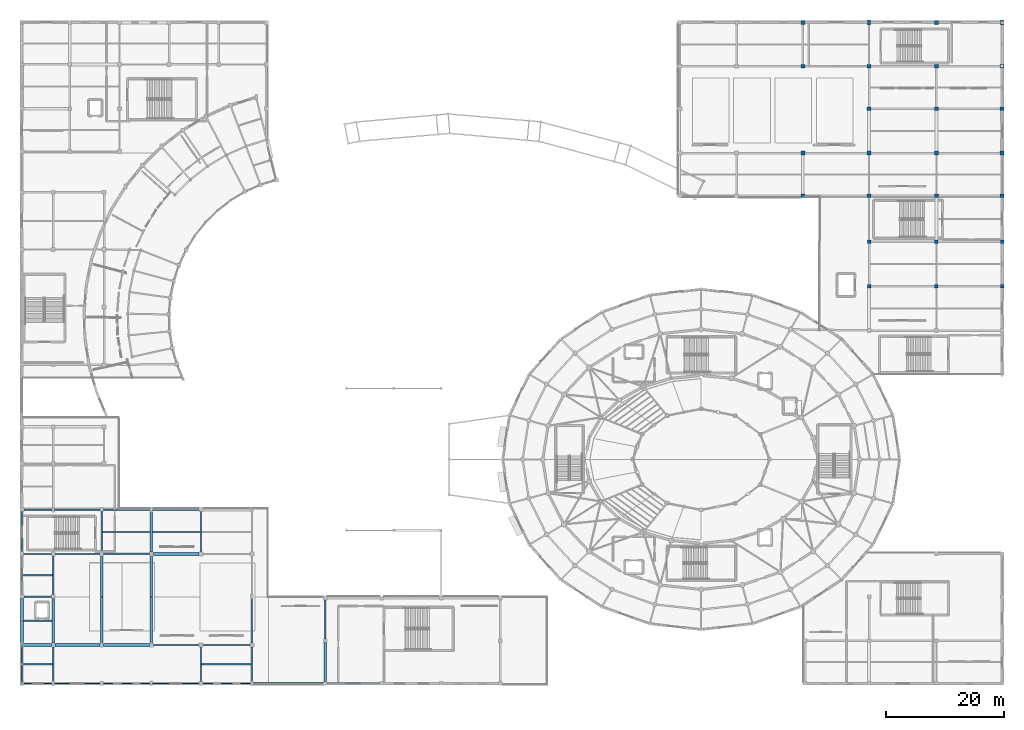
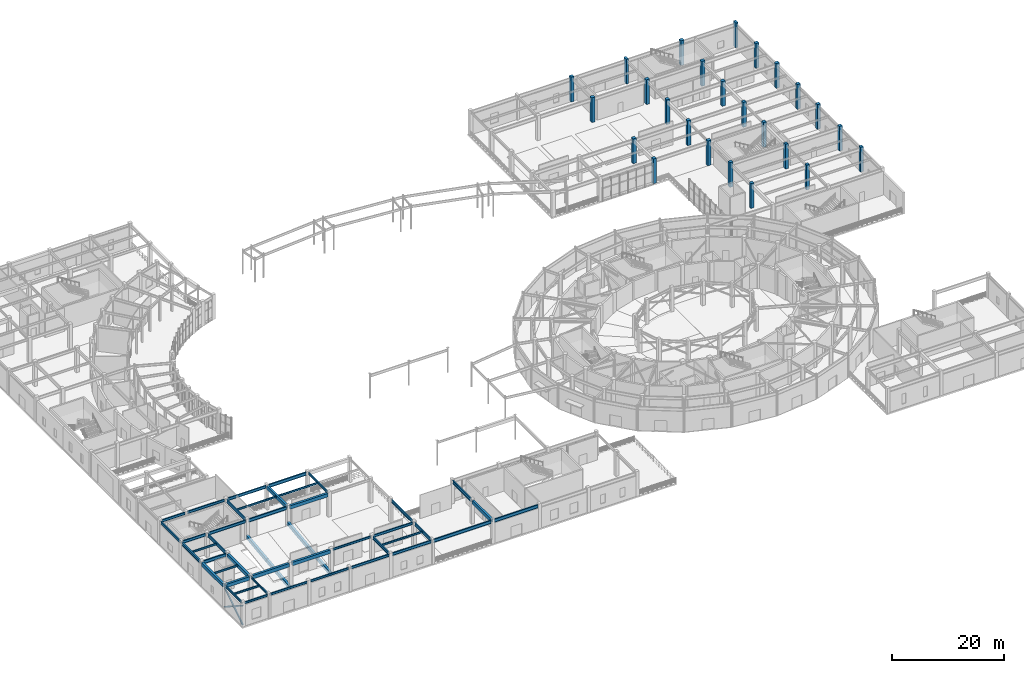
# One storey, part 18 of 93: 46 beams, 25 columns, 3 members.
"""IFC4 building model written with IfcOpenShell, lengths in metres."""

from ifc_helpers import new_model, si_unit, direction, frame, origin, origin_2d, place, context, subcontext, project, spatial, rectangle, hollow_rectangle, i_section, extrude, material, material_profile, profile_set, type_object, element, save


model = new_model("IFC4")

# Units and contexts
model_context = context("Model", 3, precision=1e-05, world=origin(), true_north=direction((0.0, 1.0)))
body_context = subcontext(model_context, "Body", "Model", "MODEL_VIEW")
ifc_project = project(units=[si_unit("LENGTHUNIT", "METRE"), si_unit("AREAUNIT", "SQUARE_METRE"), si_unit("VOLUMEUNIT", "CUBIC_METRE"), si_unit("PLANEANGLEUNIT", "RADIAN"), si_unit("MASSUNIT", "GRAM", prefix="KILO")], contexts=[model_context])

# Site, building, storey
site_placement = place(None, origin())
site = spatial("IfcSite", under=ifc_project, at=site_placement, CompositionType="ELEMENT")
building_placement = place(site_placement, origin())
building = spatial("IfcBuilding", under=site, at=building_placement, Name="Cinderbank Siding Concert Hall", CompositionType="ELEMENT")
storey_placement = place(building_placement, origin())
storey = spatial("IfcBuildingStorey", under=building, at=storey_placement, Name="L01", CompositionType="ELEMENT", Elevation=0.0)

# Columns
ifc_material_1 = material(Name="Reinforced concrete AS 3600 N50 (50 MPa)", Category="concrete")
ifc_material_profile_1 = material_profile(ifc_material_1, rectangle(XDim=0.60009765625, YDim=0.60009765625, at=origin_2d()), Name="RC-COL-600x600", Category="LoadBearing")
ifc_profile_set_1 = profile_set([ifc_material_profile_1], Name="Reinforced concrete AS 3600 N50 (50 MPa)")
column_type_1 = type_object("IfcColumnType", Name="C-RC600 RC-COL-600x600", PredefinedType="COLUMN", material=ifc_profile_set_1)
for number, where, z_axis, x_axis, name in (
    (1, (150.39990234375, 73.300048828125, 0.0), (0.0, 0.0, 1.0), (1.0, 0.0, 0.0), "L01 Column COL-EL-1-2"),
    (2, (150.39990234375, 80.800048828125, 0.0), (0.0, 0.0, 1.0), (1.0, 0.0, 0.0), "L01 Column COL-EL-1-3"),
    (3, (161.800048828125, 73.300048828125, 0.0), (0.0, 0.0, 1.0), (1.0, 0.0, 0.0), "L01 Column COL-EL-2-2"),
    (4, (161.800048828125, 80.800048828125, 0.0), (0.0, 0.0, 1.0), (1.0, 0.0, 0.0), "L01 Column COL-EL-2-3"),
    (5, (172.89990234375, 73.300048828125, 0.0), (0.0, 0.0, 1.0), (1.0, 0.0, 0.0), "L01 Column COL-EL-3-2"),
    (6, (172.89990234375, 80.800048828125, 0.0), (0.0, 0.0, 1.0), (1.0, 0.0, 0.0), "L01 Column COL-EL-3-3"),
):
    element("IfcColumn", number, at=place(storey_placement, frame(where, z_axis=z_axis, x_axis=x_axis)), inside=storey, type_object=column_type_1, Name=name, PredefinedType="COLUMN", context=body_context, shape_type="SweptSolid", body=[
        extrude(rectangle(XDim=0.60009765625, YDim=0.60009765625, at=origin_2d()), origin(), (0.0, 0.0, 1.0), 5.39990234375),
    ])
ifc_material_profile_2 = material_profile(ifc_material_1, rectangle(XDim=0.64990234375, YDim=0.64990234375, at=origin_2d()), Name="RC-COL-650x650", Category="LoadBearing")
ifc_profile_set_2 = profile_set([ifc_material_profile_2], Name="Reinforced concrete AS 3600 N50 (50 MPa)")
column_type_2 = type_object("IfcColumnType", Name="C-RC650 RC-COL-650x650", PredefinedType="COLUMN", material=ifc_profile_set_2)
for number, where, z_axis, x_axis, name in (
    (7, (139.199951171875, 88.60009765625, 0.0), (0.0, 0.0, 1.0), (1.0, 0.0, 0.0), "L01 Column COL-V3-3-1"),
    (8, (139.199951171875, 95.800048828125, 0.0), (0.0, 0.0, 1.0), (1.0, 0.0, 0.0), "L01 Column COL-V3-3-2"),
    (9, (139.199951171875, 110.5, 0.0), (0.0, 0.0, 1.0), (1.0, 0.0, 0.0), "L01 Column COL-V3-3-4"),
    (10, (139.199951171875, 117.89990234375, 0.0), (0.0, 0.0, 1.0), (1.0, 0.0, 0.0), "L01 Column COL-V3-3-5"),
    (11, (150.39990234375, 88.60009765625, 0.0), (0.0, 0.0, 1.0), (1.0, 0.0, 0.0), "L01 Column COL-V3-4-1"),
    (12, (150.39990234375, 95.800048828125, 0.0), (0.0, 0.0, 1.0), (1.0, 0.0, 0.0), "L01 Column COL-V3-4-2"),
    (13, (150.39990234375, 103.300048828125, 0.0), (0.0, 0.0, 1.0), (1.0, 0.0, 0.0), "L01 Column COL-V3-4-3"),
    (14, (150.39990234375, 110.5, 0.0), (0.0, 0.0, 1.0), (1.0, 0.0, 0.0), "L01 Column COL-V3-4-4"),
    (15, (161.800048828125, 88.60009765625, 0.0), (0.0, 0.0, 1.0), (1.0, 0.0, 0.0), "L01 Column COL-V3-5-1"),
    (16, (161.800048828125, 95.800048828125, 0.0), (0.0, 0.0, 1.0), (1.0, 0.0, 0.0), "L01 Column COL-V3-5-2"),
    (17, (161.800048828125, 103.300048828125, 0.0), (0.0, 0.0, 1.0), (1.0, 0.0, 0.0), "L01 Column COL-V3-5-3"),
    (18, (161.800048828125, 110.5, 0.0), (0.0, 0.0, 1.0), (1.0, 0.0, 0.0), "L01 Column COL-V3-5-4"),
    (19, (161.800048828125, 117.89990234375, 0.0), (0.0, 0.0, 1.0), (1.0, 0.0, 0.0), "L01 Column COL-V3-5-5"),
    (20, (172.89990234375, 88.60009765625, 0.0), (0.0, 0.0, 1.0), (1.0, 0.0, 0.0), "L01 Column COL-V3-6-1"),
    (21, (172.89990234375, 95.800048828125, 0.0), (0.0, 0.0, 1.0), (1.0, 0.0, 0.0), "L01 Column COL-V3-6-2"),
    (22, (172.89990234375, 103.300048828125, 0.0), (0.0, 0.0, 1.0), (1.0, 0.0, 0.0), "L01 Column COL-V3-6-3"),
    (23, (172.89990234375, 110.5, 0.0), (0.0, 0.0, 1.0), (1.0, 0.0, 0.0), "L01 Column COL-V3-6-4"),
):
    element("IfcColumn", number, at=place(storey_placement, frame(where, z_axis=z_axis, x_axis=x_axis)), inside=storey, type_object=column_type_2, Name=name, PredefinedType="COLUMN", context=body_context, shape_type="SweptSolid", body=[
        extrude(rectangle(XDim=0.64990234375, YDim=0.64990234375, at=origin_2d()), origin(), (0.0, 0.0, 1.0), 5.39990234375),
    ])
ifc_material_profile_3 = material_profile(ifc_material_1, rectangle(XDim=0.449951171875, YDim=0.85009765625, at=origin_2d()), Name="RC-PIER-450x850", Category="LoadBearing")
ifc_profile_set_3 = profile_set([ifc_material_profile_3], Name="Reinforced concrete AS 3600 N50 (50 MPa)")
column_type_3 = type_object("IfcColumnType", Name="PL-RC850 RC-PIER-450x850", PredefinedType="PILASTER", material=ifc_profile_set_3)
for number, where, z_axis, x_axis, name in (
    (24, (150.39990234375, 117.89990234375, 0.0), (0.0, 0.0, 1.0), (1.0, 0.0, 0.0), "L01 Column COL-V3-4-5"),
    (25, (172.89990234375, 117.89990234375, 0.0), (0.0, 0.0, 1.0), (1.0, 0.0, 0.0), "L01 Column COL-V3-6-5"),
):
    element("IfcColumn", number, at=place(storey_placement, frame(where, z_axis=z_axis, x_axis=x_axis)), inside=storey, type_object=column_type_3, Name=name, PredefinedType="PILASTER", context=body_context, shape_type="SweptSolid", body=[
        extrude(rectangle(XDim=0.449951171875, YDim=0.85009765625, at=origin_2d()), origin(), (0.0, 0.0, 1.0), 5.39990234375),
    ])

# Beams
ifc_material_profile_4 = material_profile(ifc_material_1, rectangle(XDim=0.449951171875, YDim=0.75, at=origin_2d()), Name="RC-BM-450x750", Category="LoadBearing")
ifc_profile_set_4 = profile_set([ifc_material_profile_4], Name="Reinforced concrete AS 3600 N50 (50 MPa)")
beam_type_1 = type_object("IfcBeamType", Name="BM-RC750 RC-BM-450x750", PredefinedType="BEAM", material=ifc_profile_set_4)
beam_1_placement = place(storey_placement, frame((20.60009765625, 12.60009765625, -0.39501953125), z_axis=(0.0, 0.99293421696, 0.118666089466), x_axis=(-1.0, 0.0, 0.0)))
element("IfcBeam", 26, at=beam_1_placement, inside=storey, type_object=beam_type_1, Name="L01 Beam BM-RC750 #1", PredefinedType="BEAM", context=body_context, shape_type="SweptSolid", body=[
    extrude(rectangle(XDim=0.449951171875, YDim=0.75, at=origin_2d()), origin(), (0.0, 0.0, 1.0), 8.25830078125),
])
beam_2_placement = place(storey_placement, frame((20.60009765625, 20.800048828125, 0.5849609375), z_axis=(0.0, 0.992940106546, 0.118616798188), x_axis=(-1.0, 0.0, 0.0)))
element("IfcBeam", 27, at=beam_2_placement, inside=storey, type_object=beam_type_1, Name="L01 Beam BM-RC750 #2", PredefinedType="BEAM", context=body_context, shape_type="SweptSolid", body=[
    extrude(rectangle(XDim=0.449951171875, YDim=0.75, at=origin_2d()), origin(), (0.0, 0.0, 1.0), 7.251220703125),
])
beam_3_placement = place(storey_placement, frame((29.0, 12.60009765625, -0.39501953125), z_axis=(0.0, 0.99293421696, 0.118666089466), x_axis=(-1.0, 0.0, 0.0)))
element("IfcBeam", 28, at=beam_3_placement, inside=storey, type_object=beam_type_1, Name="L01 Beam BM-RC750 #4", PredefinedType="BEAM", context=body_context, shape_type="SweptSolid", body=[
    extrude(rectangle(XDim=0.449951171875, YDim=0.75, at=origin_2d()), origin(), (0.0, 0.0, 1.0), 8.25830078125),
])
beam_4_placement = place(storey_placement, frame((29.0, 20.800048828125, 0.5849609375), z_axis=(0.0, 0.992940106546, 0.118616798188), x_axis=(-1.0, 0.0, 0.0)))
element("IfcBeam", 29, at=beam_4_placement, inside=storey, type_object=beam_type_1, Name="L01 Beam BM-RC750 #5", PredefinedType="BEAM", context=body_context, shape_type="SweptSolid", body=[
    extrude(rectangle(XDim=0.449951171875, YDim=0.75, at=origin_2d()), origin(), (0.0, 0.0, 1.0), 7.251220703125),
])
beam_5_placement = place(storey_placement, frame((7.31689453125, 12.60009765625, 4.7470703125), z_axis=(1.0, 0.0, 0.0), x_axis=(0.0, 1.0, 0.0)))
element("IfcBeam", 30, at=beam_5_placement, inside=storey, type_object=beam_type_1, Name="L01 Beam BM-RC750 #1277", PredefinedType="BEAM", context=body_context, shape_type="SweptSolid", body=[
    extrude(rectangle(XDim=0.449951171875, YDim=0.75, at=origin_2d()), origin(), (0.0, 0.0, 1.0), 4.76611328125),
])
beam_6_placement = place(storey_placement, frame((7.10009765625, 12.81689453125, 4.7470703125), z_axis=(0.0, 1.0, 0.0), x_axis=(-1.0, 0.0, 0.0)))
element("IfcBeam", 31, at=beam_6_placement, inside=storey, type_object=beam_type_1, Name="L01 Beam BM-RC750 #1278", PredefinedType="BEAM", context=body_context, shape_type="SweptSolid", body=[
    extrude(rectangle(XDim=0.449951171875, YDim=0.75, at=origin_2d()), origin(), (0.0, 0.0, 1.0), 7.666015625),
])
for number, where, z_axis, x_axis, name in (
    (32, (12.717041015625, 12.60009765625, 4.7470703125), (1.0, 0.0, 0.0), (0.0, 1.0, 0.0), "L01 Beam BM-RC750 #1287"),
    (33, (12.39990234375, 12.9169921875, 4.7470703125), (0.0, 1.0, 0.0), (-1.0, 0.0, 0.0), "L01 Beam BM-RC750 #1288"),
):
    element("IfcBeam", number, at=place(storey_placement, frame(where, z_axis=z_axis, x_axis=x_axis)), inside=storey, type_object=beam_type_1, Name=name, PredefinedType="BEAM", context=body_context, shape_type="SweptSolid", body=[
        extrude(rectangle(XDim=0.449951171875, YDim=0.75, at=origin_2d()), origin(), (0.0, 0.0, 1.0), 7.56591796875),
    ])
for number, where, z_axis, x_axis, name in (
    (34, (20.9169921875, 12.60009765625, 4.7470703125), (1.0, 0.0, 0.0), (0.0, 1.0, 0.0), "L01 Beam BM-RC750 #1294"),
    (35, (29.31689453125, 28.0, 4.7470703125), (1.0, 0.0, 0.0), (0.0, 1.0, 0.0), "L01 Beam BM-RC750 #1300"),
):
    element("IfcBeam", number, at=place(storey_placement, frame(where, z_axis=z_axis, x_axis=x_axis)), inside=storey, type_object=beam_type_1, Name=name, PredefinedType="BEAM", context=body_context, shape_type="SweptSolid", body=[
        extrude(rectangle(XDim=0.449951171875, YDim=0.75, at=origin_2d()), origin(), (0.0, 0.0, 1.0), 7.76611328125),
    ])
beam_7_placement = place(storey_placement, frame((29.0, 28.31689453125, 4.7470703125), z_axis=(0.0, 1.0, 0.0), x_axis=(-1.0, 0.0, 0.0)))
element("IfcBeam", 36, at=beam_7_placement, inside=storey, type_object=beam_type_1, Name="L01 Beam BM-RC750 #1301", PredefinedType="BEAM", context=body_context, shape_type="SweptSolid", body=[
    extrude(rectangle(XDim=0.449951171875, YDim=0.75, at=origin_2d()), origin(), (0.0, 0.0, 1.0), 6.966064453125),
])
beam_8_placement = place(storey_placement, frame((58.39990234375, 6.39208984375, 4.76708984375), z_axis=(0.0, 1.0, 0.0), x_axis=(-1.0, 0.0, 0.0)))
element("IfcBeam", 37, at=beam_8_placement, inside=storey, type_object=beam_type_1, Name="L01 Beam BM-RC750 #1396", PredefinedType="BEAM", context=body_context, shape_type="SweptSolid", body=[
    extrude(rectangle(XDim=0.449951171875, YDim=0.75, at=origin_2d()), origin(), (0.0, 0.0, 1.0), 6.615966796875),
])
ifc_material_2 = material(Name="Structural steel AS/NZS 3679.1 Grade 350 (340 MPa)", Category="steel")
ifc_material_profile_5 = material_profile(ifc_material_2, i_section(OverallWidth=0.18994140625, OverallDepth=0.45751953125, WebThickness=0.009033203125, FlangeThickness=0.014404296875, at=origin_2d()), Name="460UB74.6", Category="LoadBearing")
ifc_profile_set_5 = profile_set([ifc_material_profile_5], Name="Structural steel AS/NZS 3679.1 Grade 350 (340 MPa)")
beam_type_2 = type_object("IfcBeamType", Name="BM-UB460 460UB74.6", PredefinedType="BEAM", material=ifc_profile_set_5)
beam_9_placement = place(storey_placement, frame((7.4169921875, 6.10009765625, 4.893310546875), z_axis=(1.0, 0.0, 0.0), x_axis=(0.0, 1.0, 0.0)))
element("IfcBeam", 38, at=beam_9_placement, inside=storey, type_object=beam_type_2, Name="L01 Beam BM-UB460 #1275", PredefinedType="BEAM", context=body_context, shape_type="SweptSolid", body=[
    extrude(i_section(OverallWidth=0.18994140625, OverallDepth=0.45751953125, WebThickness=0.009033203125, FlangeThickness=0.014404296875, at=origin_2d()), origin(), (0.0, 0.0, 1.0), 4.76611328125),
])
beam_10_placement = place(storey_placement, frame((7.10009765625, 6.4169921875, 4.893310546875), z_axis=(0.0, 1.0, 0.0), x_axis=(-1.0, 0.0, 0.0)))
element("IfcBeam", 39, at=beam_10_placement, inside=storey, type_object=beam_type_2, Name="L01 Beam BM-UB460 #1276", PredefinedType="BEAM", context=body_context, shape_type="SweptSolid", body=[
    extrude(i_section(OverallWidth=0.18994140625, OverallDepth=0.45751953125, WebThickness=0.009033203125, FlangeThickness=0.014404296875, at=origin_2d()), origin(), (0.0, 0.0, 1.0), 5.966064453125),
])
beam_11_placement = place(storey_placement, frame((12.616943359375, 6.10009765625, 4.893310546875), z_axis=(1.0, 0.0, 0.0), x_axis=(0.0, 1.0, 0.0)))
element("IfcBeam", 40, at=beam_11_placement, inside=storey, type_object=beam_type_2, Name="L01 Beam BM-UB460 #1285", PredefinedType="BEAM", context=body_context, shape_type="SweptSolid", body=[
    extrude(i_section(OverallWidth=0.18994140625, OverallDepth=0.45751953125, WebThickness=0.009033203125, FlangeThickness=0.014404296875, at=origin_2d()), origin(), (0.0, 0.0, 1.0), 7.666015625),
])
beam_12_placement = place(storey_placement, frame((12.39990234375, 6.31689453125, 4.893310546875), z_axis=(0.0, 1.0, 0.0), x_axis=(-1.0, 0.0, 0.0)))
element("IfcBeam", 41, at=beam_12_placement, inside=storey, type_object=beam_type_2, Name="L01 Beam BM-UB460 #1286", PredefinedType="BEAM", context=body_context, shape_type="SweptSolid", body=[
    extrude(i_section(OverallWidth=0.18994140625, OverallDepth=0.45751953125, WebThickness=0.009033203125, FlangeThickness=0.014404296875, at=origin_2d()), origin(), (0.0, 0.0, 1.0), 5.966064453125),
])
beam_13_placement = place(storey_placement, frame((20.9169921875, 6.10009765625, 4.893310546875), z_axis=(1.0, 0.0, 0.0), x_axis=(0.0, 1.0, 0.0)))
element("IfcBeam", 42, at=beam_13_placement, inside=storey, type_object=beam_type_2, Name="L01 Beam BM-UB460 #1293", PredefinedType="BEAM", context=body_context, shape_type="SweptSolid", body=[
    extrude(i_section(OverallWidth=0.18994140625, OverallDepth=0.45751953125, WebThickness=0.009033203125, FlangeThickness=0.014404296875, at=origin_2d()), origin(), (0.0, 0.0, 1.0), 7.865966796875),
])
beam_14_placement = place(storey_placement, frame((29.31689453125, 12.60009765625, 4.893310546875), z_axis=(1.0, 0.0, 0.0), x_axis=(0.0, 1.0, 0.0)))
element("IfcBeam", 43, at=beam_14_placement, inside=storey, type_object=beam_type_2, Name="L01 Beam BM-UB460 #1299", PredefinedType="BEAM", context=body_context, shape_type="SweptSolid", body=[
    extrude(i_section(OverallWidth=0.18994140625, OverallDepth=0.45751953125, WebThickness=0.009033203125, FlangeThickness=0.014404296875, at=origin_2d()), origin(), (0.0, 0.0, 1.0), 7.76611328125),
])
beam_15_placement = place(storey_placement, frame((37.39990234375, 28.31689453125, 4.893310546875), z_axis=(0.0, 1.0, 0.0), x_axis=(-1.0, 0.0, 0.0)))
element("IfcBeam", 44, at=beam_15_placement, inside=storey, type_object=beam_type_2, Name="L01 Beam BM-UB460 #1307", PredefinedType="BEAM", context=body_context, shape_type="SweptSolid", body=[
    extrude(i_section(OverallWidth=0.18994140625, OverallDepth=0.45751953125, WebThickness=0.009033203125, FlangeThickness=0.014404296875, at=origin_2d()), origin(), (0.0, 0.0, 1.0), 6.8662109375),
])
ifc_material_profile_6 = material_profile(ifc_material_2, i_section(OverallWidth=0.208984375, OverallDepth=0.5283203125, WebThickness=0.009521484375, FlangeThickness=0.01318359375, at=origin_2d()), Name="530UB82.0", Category="LoadBearing")
ifc_profile_set_6 = profile_set([ifc_material_profile_6], Name="Structural steel AS/NZS 3679.1 Grade 350 (340 MPa)")
beam_type_3 = type_object("IfcBeamType", Name="BM-UB530 530UB82.0", PredefinedType="BEAM", material=ifc_profile_set_6)
beam_16_placement = place(storey_placement, frame((7.4169921875, 35.5, 4.85791015625), z_axis=(1.0, 0.0, 0.0), x_axis=(0.0, 1.0, 0.0)))
element("IfcBeam", 45, at=beam_16_placement, inside=storey, type_object=beam_type_3, Name="L01 Beam BM-UB530 #1283", PredefinedType="BEAM", context=body_context, shape_type="SweptSolid", body=[
    extrude(i_section(OverallWidth=0.208984375, OverallDepth=0.5283203125, WebThickness=0.009521484375, FlangeThickness=0.01318359375, at=origin_2d()), origin(), (0.0, 0.0, 1.0), 4.76611328125),
])
beam_17_placement = place(storey_placement, frame((12.616943359375, 35.5, 4.85791015625), z_axis=(1.0, 0.0, 0.0), x_axis=(0.0, 1.0, 0.0)))
element("IfcBeam", 46, at=beam_17_placement, inside=storey, type_object=beam_type_3, Name="L01 Beam BM-UB530 #1291", PredefinedType="BEAM", context=body_context, shape_type="SweptSolid", body=[
    extrude(i_section(OverallWidth=0.208984375, OverallDepth=0.5283203125, WebThickness=0.009521484375, FlangeThickness=0.01318359375, at=origin_2d()), origin(), (0.0, 0.0, 1.0), 7.666015625),
])
beam_18_placement = place(storey_placement, frame((29.217041015625, 6.10009765625, 4.85791015625), z_axis=(1.0, 0.0, 0.0), x_axis=(0.0, 1.0, 0.0)))
element("IfcBeam", 47, at=beam_18_placement, inside=storey, type_object=beam_type_3, Name="L01 Beam BM-UB530 #1298", PredefinedType="BEAM", context=body_context, shape_type="SweptSolid", body=[
    extrude(i_section(OverallWidth=0.208984375, OverallDepth=0.5283203125, WebThickness=0.009521484375, FlangeThickness=0.01318359375, at=origin_2d()), origin(), (0.0, 0.0, 1.0), 7.865966796875),
])
beam_19_placement = place(storey_placement, frame((37.717041015625, 12.60009765625, 4.85791015625), z_axis=(1.0, 0.0, 0.0), x_axis=(0.0, 1.0, 0.0)))
element("IfcBeam", 48, at=beam_19_placement, inside=storey, type_object=beam_type_3, Name="L01 Beam BM-UB530 #1305", PredefinedType="BEAM", context=body_context, shape_type="SweptSolid", body=[
    extrude(i_section(OverallWidth=0.208984375, OverallDepth=0.5283203125, WebThickness=0.009521484375, FlangeThickness=0.01318359375, at=origin_2d()), origin(), (0.0, 0.0, 1.0), 7.966064453125),
])
ifc_material_profile_7 = material_profile(ifc_material_2, i_section(OverallWidth=0.22802734375, OverallDepth=0.602294921875, WebThickness=0.010498046875, FlangeThickness=0.014892578125, at=origin_2d()), Name="610UB101", Category="LoadBearing")
ifc_profile_set_7 = profile_set([ifc_material_profile_7], Name="Structural steel AS/NZS 3679.1 Grade 350 (340 MPa)")
beam_type_4 = type_object("IfcBeamType", Name="BM-UB610 610UB101", PredefinedType="BEAM", material=ifc_profile_set_7)
beam_20_placement = place(storey_placement, frame((7.31689453125, 28.0, 4.82080078125), z_axis=(1.0, 0.0, 0.0), x_axis=(0.0, 1.0, 0.0)))
element("IfcBeam", 49, at=beam_20_placement, inside=storey, type_object=beam_type_4, Name="L01 Beam BM-UB610 #1281", PredefinedType="BEAM", context=body_context, shape_type="SweptSolid", body=[
    extrude(i_section(OverallWidth=0.22802734375, OverallDepth=0.602294921875, WebThickness=0.010498046875, FlangeThickness=0.014892578125, at=origin_2d()), origin(), (0.0, 0.0, 1.0), 4.76611328125),
])
beam_21_placement = place(storey_placement, frame((7.10009765625, 28.217041015625, 4.82080078125), z_axis=(0.0, 1.0, 0.0), x_axis=(-1.0, 0.0, 0.0)))
element("IfcBeam", 50, at=beam_21_placement, inside=storey, type_object=beam_type_4, Name="L01 Beam BM-UB610 #1282", PredefinedType="BEAM", context=body_context, shape_type="SweptSolid", body=[
    extrude(i_section(OverallWidth=0.22802734375, OverallDepth=0.602294921875, WebThickness=0.010498046875, FlangeThickness=0.014892578125, at=origin_2d()), origin(), (0.0, 0.0, 1.0), 6.966064453125),
])
beam_22_placement = place(storey_placement, frame((12.717041015625, 28.0, 4.82080078125), z_axis=(1.0, 0.0, 0.0), x_axis=(0.0, 1.0, 0.0)))
element("IfcBeam", 51, at=beam_22_placement, inside=storey, type_object=beam_type_4, Name="L01 Beam BM-UB610 #1290", PredefinedType="BEAM", context=body_context, shape_type="SweptSolid", body=[
    extrude(i_section(OverallWidth=0.22802734375, OverallDepth=0.602294921875, WebThickness=0.010498046875, FlangeThickness=0.014892578125, at=origin_2d()), origin(), (0.0, 0.0, 1.0), 7.56591796875),
])
beam_23_placement = place(storey_placement, frame((20.9169921875, 35.5, 4.82080078125), z_axis=(1.0, 0.0, 0.0), x_axis=(0.0, 1.0, 0.0)))
element("IfcBeam", 52, at=beam_23_placement, inside=storey, type_object=beam_type_4, Name="L01 Beam BM-UB610 #1297", PredefinedType="BEAM", context=body_context, shape_type="SweptSolid", body=[
    extrude(i_section(OverallWidth=0.22802734375, OverallDepth=0.602294921875, WebThickness=0.010498046875, FlangeThickness=0.014892578125, at=origin_2d()), origin(), (0.0, 0.0, 1.0), 7.865966796875),
])
beam_24_placement = place(storey_placement, frame((37.717041015625, 6.10009765625, 4.82080078125), z_axis=(1.0, 0.0, 0.0), x_axis=(0.0, 1.0, 0.0)))
element("IfcBeam", 53, at=beam_24_placement, inside=storey, type_object=beam_type_4, Name="L01 Beam BM-UB610 #1303", PredefinedType="BEAM", context=body_context, shape_type="SweptSolid", body=[
    extrude(i_section(OverallWidth=0.22802734375, OverallDepth=0.602294921875, WebThickness=0.010498046875, FlangeThickness=0.014892578125, at=origin_2d()), origin(), (0.0, 0.0, 1.0), 8.06591796875),
])
beam_25_placement = place(storey_placement, frame((37.39990234375, 6.4169921875, 4.82080078125), z_axis=(0.0, 1.0, 0.0), x_axis=(-1.0, 0.0, 0.0)))
element("IfcBeam", 54, at=beam_25_placement, inside=storey, type_object=beam_type_4, Name="L01 Beam BM-UB610 #1304", PredefinedType="BEAM", context=body_context, shape_type="SweptSolid", body=[
    extrude(i_section(OverallWidth=0.22802734375, OverallDepth=0.602294921875, WebThickness=0.010498046875, FlangeThickness=0.014892578125, at=origin_2d()), origin(), (0.0, 0.0, 1.0), 5.865966796875),
])
beam_26_placement = place(storey_placement, frame((46.0, 12.9169921875, 4.82080078125), z_axis=(0.0, 1.0, 0.0), x_axis=(-1.0, 0.0, 0.0)))
element("IfcBeam", 55, at=beam_26_placement, inside=storey, type_object=beam_type_4, Name="L01 Beam BM-UB610 #1311", PredefinedType="BEAM", context=body_context, shape_type="SweptSolid", body=[
    extrude(i_section(OverallWidth=0.22802734375, OverallDepth=0.602294921875, WebThickness=0.010498046875, FlangeThickness=0.014892578125, at=origin_2d()), origin(), (0.0, 0.0, 1.0), 7.666015625),
])
ifc_material_3 = material(Name="Structural steel welded plate section AS/NZS 3679.2 / AS/NZS 3678 Grade 350 (340 MPa)", Category="steel")
ifc_material_profile_8 = material_profile(ifc_material_3, i_section(OverallWidth=0.25, OverallDepth=0.699951171875, WebThickness=0.010009765625, FlangeThickness=0.01611328125, at=origin_2d()), Name="700WB130", Category="LoadBearing")
ifc_profile_set_8 = profile_set([ifc_material_profile_8], Name="Structural steel welded plate section AS/NZS 3679.2 / AS/NZS 3678 Grade 350 (340 MPa)")
beam_type_5 = type_object("IfcBeamType", Name="BM-WB700 700WB130", PredefinedType="BEAM", material=ifc_profile_set_8)
beam_27_placement = place(storey_placement, frame((7.4169921875, 20.800048828125, 4.77197265625), z_axis=(1.0, 0.0, 0.0), x_axis=(0.0, 1.0, 0.0)))
element("IfcBeam", 56, at=beam_27_placement, inside=storey, type_object=beam_type_5, Name="L01 Beam BM-WB700 #1279", PredefinedType="BEAM", context=body_context, shape_type="SweptSolid", body=[
    extrude(i_section(OverallWidth=0.25, OverallDepth=0.699951171875, WebThickness=0.010009765625, FlangeThickness=0.01611328125, at=origin_2d()), origin(), (0.0, 0.0, 1.0), 4.666015625),
])
beam_28_placement = place(storey_placement, frame((7.10009765625, 21.116943359375, 4.77197265625), z_axis=(0.0, 1.0, 0.0), x_axis=(-1.0, 0.0, 0.0)))
element("IfcBeam", 57, at=beam_28_placement, inside=storey, type_object=beam_type_5, Name="L01 Beam BM-WB700 #1280", PredefinedType="BEAM", context=body_context, shape_type="SweptSolid", body=[
    extrude(i_section(OverallWidth=0.25, OverallDepth=0.699951171875, WebThickness=0.010009765625, FlangeThickness=0.01611328125, at=origin_2d()), origin(), (0.0, 0.0, 1.0), 6.666015625),
])
beam_29_placement = place(storey_placement, frame((12.39990234375, 21.116943359375, 4.77197265625), z_axis=(0.0, 1.0, 0.0), x_axis=(-1.0, 0.0, 0.0)))
element("IfcBeam", 58, at=beam_29_placement, inside=storey, type_object=beam_type_5, Name="L01 Beam BM-WB700 #1289", PredefinedType="BEAM", context=body_context, shape_type="SweptSolid", body=[
    extrude(i_section(OverallWidth=0.25, OverallDepth=0.699951171875, WebThickness=0.010009765625, FlangeThickness=0.01611328125, at=origin_2d()), origin(), (0.0, 0.0, 1.0), 6.566162109375),
])
beam_30_placement = place(storey_placement, frame((20.9169921875, 28.0, 4.77197265625), z_axis=(1.0, 0.0, 0.0), x_axis=(0.0, 1.0, 0.0)))
element("IfcBeam", 59, at=beam_30_placement, inside=storey, type_object=beam_type_5, Name="L01 Beam BM-WB700 #1295", PredefinedType="BEAM", context=body_context, shape_type="SweptSolid", body=[
    extrude(i_section(OverallWidth=0.25, OverallDepth=0.699951171875, WebThickness=0.010009765625, FlangeThickness=0.01611328125, at=origin_2d()), origin(), (0.0, 0.0, 1.0), 7.76611328125),
])
beam_31_placement = place(storey_placement, frame((20.60009765625, 28.31689453125, 4.77197265625), z_axis=(0.0, 1.0, 0.0), x_axis=(-1.0, 0.0, 0.0)))
element("IfcBeam", 60, at=beam_31_placement, inside=storey, type_object=beam_type_5, Name="L01 Beam BM-WB700 #1296", PredefinedType="BEAM", context=body_context, shape_type="SweptSolid", body=[
    extrude(i_section(OverallWidth=0.25, OverallDepth=0.699951171875, WebThickness=0.010009765625, FlangeThickness=0.01611328125, at=origin_2d()), origin(), (0.0, 0.0, 1.0), 6.8662109375),
])
beam_32_placement = place(storey_placement, frame((29.217041015625, 35.5, 4.77197265625), z_axis=(1.0, 0.0, 0.0), x_axis=(0.0, 1.0, 0.0)))
element("IfcBeam", 61, at=beam_32_placement, inside=storey, type_object=beam_type_5, Name="L01 Beam BM-WB700 #1302", PredefinedType="BEAM", context=body_context, shape_type="SweptSolid", body=[
    extrude(i_section(OverallWidth=0.25, OverallDepth=0.699951171875, WebThickness=0.010009765625, FlangeThickness=0.01611328125, at=origin_2d()), origin(), (0.0, 0.0, 1.0), 7.865966796875),
])
beam_33_placement = place(storey_placement, frame((46.217041015625, 6.10009765625, 4.77197265625), z_axis=(1.0, 0.0, 0.0), x_axis=(0.0, 1.0, 0.0)))
element("IfcBeam", 62, at=beam_33_placement, inside=storey, type_object=beam_type_5, Name="L01 Beam BM-WB700 #1309", PredefinedType="BEAM", context=body_context, shape_type="SweptSolid", body=[
    extrude(i_section(OverallWidth=0.25, OverallDepth=0.699951171875, WebThickness=0.010009765625, FlangeThickness=0.01611328125, at=origin_2d()), origin(), (0.0, 0.0, 1.0), 11.890869140625),
])
beam_34_placement = place(storey_placement, frame((46.0, 6.31689453125, 4.77197265625), z_axis=(0.0, 1.0, 0.0), x_axis=(-1.0, 0.0, 0.0)))
element("IfcBeam", 63, at=beam_34_placement, inside=storey, type_object=beam_type_5, Name="L01 Beam BM-WB700 #1310", PredefinedType="BEAM", context=body_context, shape_type="SweptSolid", body=[
    extrude(i_section(OverallWidth=0.25, OverallDepth=0.699951171875, WebThickness=0.010009765625, FlangeThickness=0.01611328125, at=origin_2d()), origin(), (0.0, 0.0, 1.0), 5.966064453125),
])
beam_35_placement = place(storey_placement, frame((58.69189453125, 6.10009765625, 4.7919921875), z_axis=(1.0, 0.0, 0.0), x_axis=(0.0, 1.0, 0.0)))
element("IfcBeam", 64, at=beam_35_placement, inside=storey, type_object=beam_type_5, Name="L01 Beam BM-WB700 #1395", PredefinedType="BEAM", context=body_context, shape_type="SweptSolid", body=[
    extrude(i_section(OverallWidth=0.25, OverallDepth=0.699951171875, WebThickness=0.010009765625, FlangeThickness=0.01611328125, at=origin_2d()), origin(), (0.0, 0.0, 1.0), 9.01611328125),
])
beam_36_placement = place(storey_placement, frame((58.39990234375, 13.592041015625, 4.7919921875), z_axis=(0.0, 1.0, 0.0), x_axis=(-1.0, 0.0, 0.0)))
element("IfcBeam", 65, at=beam_36_placement, inside=storey, type_object=beam_type_5, Name="L01 Beam BM-WB700 #1397", PredefinedType="BEAM", context=body_context, shape_type="SweptSolid", body=[
    extrude(i_section(OverallWidth=0.25, OverallDepth=0.699951171875, WebThickness=0.010009765625, FlangeThickness=0.01611328125, at=origin_2d()), origin(), (0.0, 0.0, 1.0), 6.615966796875),
])

# Members
ifc_material_4 = material(Name="Structural steel hollow section AS/NZS 1163 Grade C350L0 (350 MPa)", Category="steel")
ifc_material_profile_9 = material_profile(ifc_material_4, hollow_rectangle(XDim=0.25, YDim=0.25, WallThickness=0.010009765625, at=origin_2d()), Name="250x250x10.0SHS", Category="LoadBearing")
ifc_profile_set_9 = profile_set([ifc_material_profile_9], Name="Structural steel hollow section AS/NZS 1163 Grade C350L0 (350 MPa)")
member_type = type_object("IfcMemberType", Name="BR-SHS250 250x250x10.0SHS Roof Truss", PredefinedType="BRACE", material=ifc_profile_set_9)
member_1_placement = place(storey_placement, frame((7.10009765625, 6.10009765625, 0.199951171875), z_axis=(0.0, 0.839919544576, 0.542710934696), x_axis=(-1.0, 0.0, 0.0)))
element("IfcMember", 66, at=member_1_placement, inside=storey, type_object=member_type, Name="L01 Diagonal Brace BR-SHS250 #LBR-BR-SHS250-L01-2522", PredefinedType="BRACE", context=body_context, shape_type="SweptSolid", body=[
    extrude(hollow_rectangle(XDim=0.25, YDim=0.25, WallThickness=0.010009765625, at=origin_2d()), origin(), (0.0, 0.0, 1.0), 7.73876953125),
])
member_2_placement = place(storey_placement, frame((7.10009765625, 12.60009765625, 0.199951171875), z_axis=(0.0, -0.839906452428, 0.542731196053), x_axis=(1.0, 0.0, 0.0)))
element("IfcMember", 67, at=member_2_placement, inside=storey, type_object=member_type, Name="L01 Diagonal Brace BR-SHS250 #LBR-BR-SHS250-L01-2523", PredefinedType="BRACE", context=body_context, shape_type="SweptSolid", body=[
    extrude(hollow_rectangle(XDim=0.25, YDim=0.25, WallThickness=0.010009765625, at=origin_2d()), origin(), (0.0, 0.0, 1.0), 3.854736328125),
])
member_3_placement = place(storey_placement, frame((7.10009765625, 9.33740234375, 2.30810546875), z_axis=(0.0, -0.839916668497, 0.542715385798), x_axis=(1.0, 0.0, 0.0)))
element("IfcMember", 68, at=member_3_placement, inside=storey, type_object=member_type, Name="L01 Diagonal Brace BR-SHS250 #LBR-BR-SHS250-L01-2523-S229", PredefinedType="BRACE", context=body_context, shape_type="SweptSolid", body=[
    extrude(hollow_rectangle(XDim=0.25, YDim=0.25, WallThickness=0.010009765625, at=origin_2d()), origin(), (0.0, 0.0, 1.0), 3.854248046875),
])

# Beams
ifc_material_profile_10 = material_profile(ifc_material_2, i_section(OverallWidth=0.177978515625, OverallDepth=0.402587890625, WebThickness=0.007568359375, FlangeThickness=0.010986328125, at=origin_2d()), Name="410UB53.7", Category="LoadBearing")
ifc_profile_set_10 = profile_set([ifc_material_profile_10], Name="Structural steel AS/NZS 3679.1 Grade 350 (340 MPa)")
beam_type_6 = type_object("IfcBeamType", Name="JS-UB410 410UB53.7", PredefinedType="JOIST", material=ifc_profile_set_10)
beam_37_placement = place(storey_placement, frame((7.18701171875, 9.35009765625, 4.920654296875), z_axis=(1.0, 0.0, 0.0), x_axis=(0.0, 1.0, 0.0)))
element("IfcBeam", 69, at=beam_37_placement, inside=storey, type_object=beam_type_6, Name="L01 Beam JS-UB410 #1446", PredefinedType="JOIST", context=body_context, shape_type="SweptSolid", body=[
    extrude(i_section(OverallWidth=0.177978515625, OverallDepth=0.402587890625, WebThickness=0.007568359375, FlangeThickness=0.010986328125, at=origin_2d()), origin(), (0.0, 0.0, 1.0), 5.1259765625),
])
beam_38_placement = place(storey_placement, frame((7.31689453125, 16.699951171875, 4.920654296875), z_axis=(1.0, 0.0, 0.0), x_axis=(0.0, 1.0, 0.0)))
element("IfcBeam", 70, at=beam_38_placement, inside=storey, type_object=beam_type_6, Name="L01 Beam JS-UB410 #1447", PredefinedType="JOIST", context=body_context, shape_type="SweptSolid", body=[
    extrude(i_section(OverallWidth=0.177978515625, OverallDepth=0.402587890625, WebThickness=0.007568359375, FlangeThickness=0.010986328125, at=origin_2d()), origin(), (0.0, 0.0, 1.0), 4.8662109375),
])
beam_39_placement = place(storey_placement, frame((7.217041015625, 24.39990234375, 4.920654296875), z_axis=(1.0, 0.0, 0.0), x_axis=(0.0, 1.0, 0.0)))
element("IfcBeam", 71, at=beam_39_placement, inside=storey, type_object=beam_type_6, Name="L01 Beam JS-UB410 #1448", PredefinedType="JOIST", context=body_context, shape_type="SweptSolid", body=[
    extrude(i_section(OverallWidth=0.177978515625, OverallDepth=0.402587890625, WebThickness=0.007568359375, FlangeThickness=0.010986328125, at=origin_2d()), origin(), (0.0, 0.0, 1.0), 5.06591796875),
])
beam_40_placement = place(storey_placement, frame((20.717041015625, 31.75, 4.920654296875), z_axis=(1.0, 0.0, 0.0), x_axis=(0.0, 1.0, 0.0)))
element("IfcBeam", 72, at=beam_40_placement, inside=storey, type_object=beam_type_6, Name="L01 Beam JS-UB410 #1450", PredefinedType="JOIST", context=body_context, shape_type="SweptSolid", body=[
    extrude(i_section(OverallWidth=0.177978515625, OverallDepth=0.402587890625, WebThickness=0.007568359375, FlangeThickness=0.010986328125, at=origin_2d()), origin(), (0.0, 0.0, 1.0), 8.06591796875),
])
beam_41_placement = place(storey_placement, frame((29.217041015625, 31.75, 4.920654296875), z_axis=(1.0, 0.0, 0.0), x_axis=(0.0, 1.0, 0.0)))
element("IfcBeam", 73, at=beam_41_placement, inside=storey, type_object=beam_type_6, Name="L01 Beam JS-UB410 #1451", PredefinedType="JOIST", context=body_context, shape_type="SweptSolid", body=[
    extrude(i_section(OverallWidth=0.177978515625, OverallDepth=0.402587890625, WebThickness=0.007568359375, FlangeThickness=0.010986328125, at=origin_2d()), origin(), (0.0, 0.0, 1.0), 8.095947265625),
])
beam_42_placement = place(storey_placement, frame((37.506103515625, 9.35009765625, 4.920654296875), z_axis=(1.0, 0.0, 0.0), x_axis=(0.0, 1.0, 0.0)))
element("IfcBeam", 74, at=beam_42_placement, inside=storey, type_object=beam_type_6, Name="L01 Beam JS-UB410 #1452", PredefinedType="JOIST", context=body_context, shape_type="SweptSolid", body=[
    extrude(i_section(OverallWidth=0.177978515625, OverallDepth=0.402587890625, WebThickness=0.007568359375, FlangeThickness=0.010986328125, at=origin_2d()), origin(), (0.0, 0.0, 1.0), 8.376953125),
])

save(model, "model.ifc")
